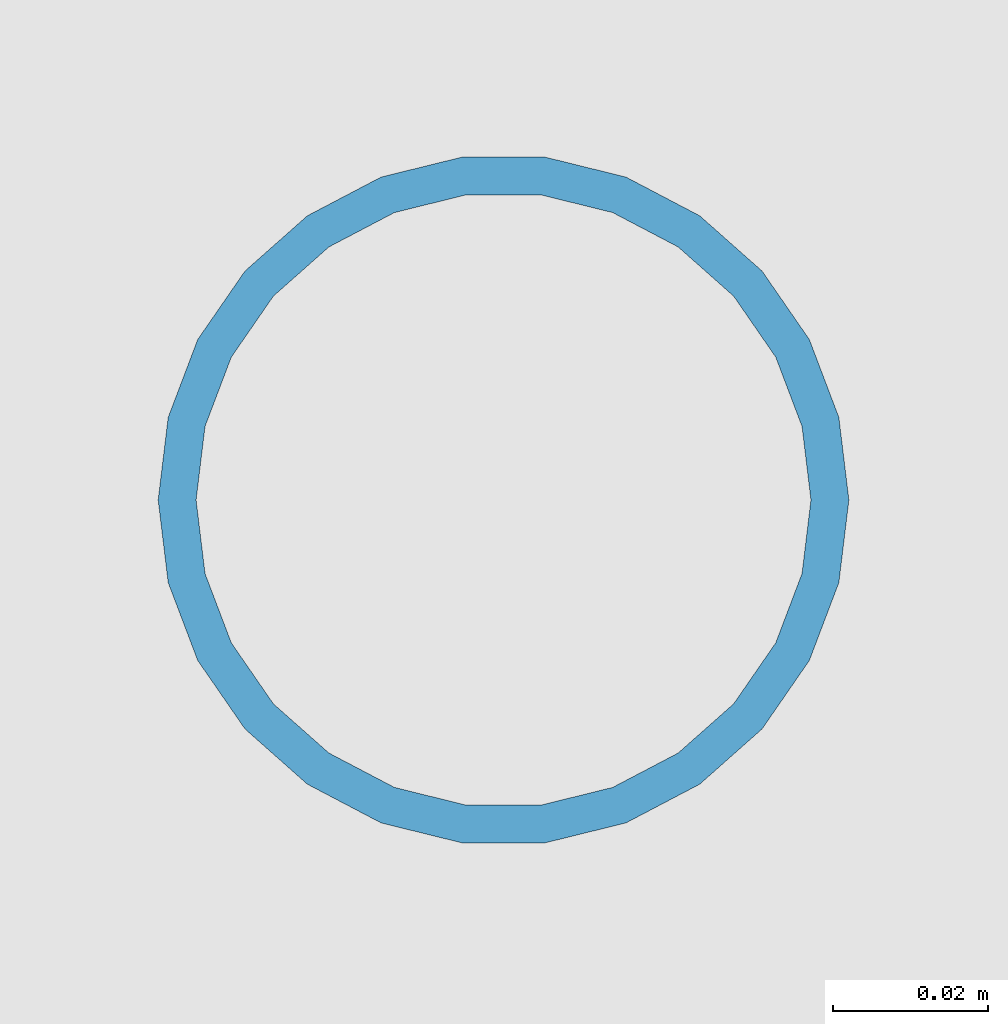
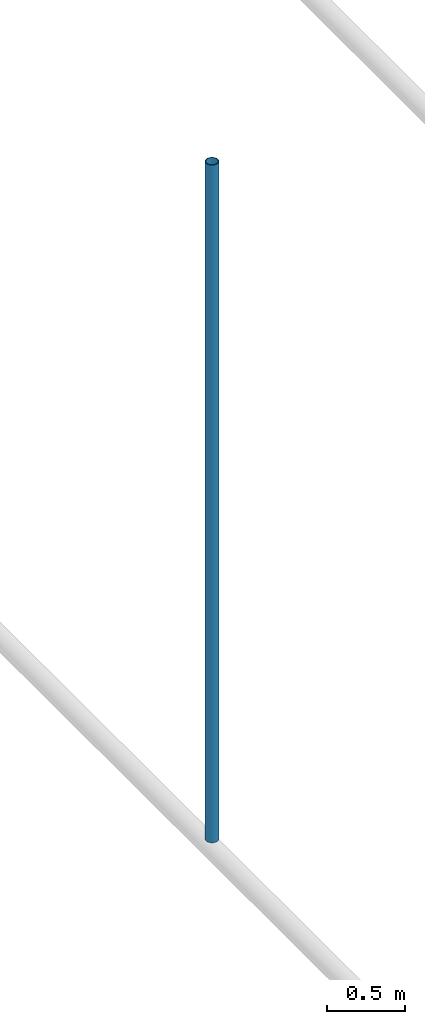
# One storey, part 24 of 102: 1 member.
"""IFC4 building model written with IfcOpenShell, lengths in metres."""

from ifc_helpers import new_model, si_unit, direction, frame, origin, origin_2d, place, context, subcontext, project, spatial, hollow_circle, extrude, material, material_profile, profile_set, type_object, element, save


model = new_model("IFC4")

# Units and contexts
model_context = context("Model", 3, precision=1e-05, world=origin(), true_north=direction((0.0, 1.0)))
body_context = subcontext(model_context, "Body", "Model", "MODEL_VIEW")
ifc_project = project(units=[si_unit("LENGTHUNIT", "METRE"), si_unit("AREAUNIT", "SQUARE_METRE"), si_unit("VOLUMEUNIT", "CUBIC_METRE"), si_unit("PLANEANGLEUNIT", "RADIAN"), si_unit("MASSUNIT", "GRAM", prefix="KILO")], contexts=[model_context])

# Site, building, storey
site_placement = place(None, origin())
site = spatial("IfcSite", under=ifc_project, at=site_placement, CompositionType="ELEMENT")
building_placement = place(site_placement, origin())
building = spatial("IfcBuilding", under=site, at=building_placement, Name="Lantern Court Research Institute", CompositionType="ELEMENT")
storey_placement = place(building_placement, frame((0.0, 0.0, 9.89990234375)))
storey = spatial("IfcBuildingStorey", under=building, at=storey_placement, Name="L02", CompositionType="ELEMENT", Elevation=9.89990234375)

# Member
ifc_material = material(Name="Structural steel S355", Category="steel")
ifc_material_profile = material_profile(ifc_material, hollow_circle(Radius=0.04443359375, WallThickness=0.0048828125, at=origin_2d()), Name="Gridshell hanger CHS 88.9 x 5")
ifc_profile_set = profile_set([ifc_material_profile], Name="Structural steel S355")
member_type = type_object("IfcMemberType", Name="Gridshell hanger CHS 88.9 x 5", PredefinedType="STRUT", material=ifc_profile_set)
member_placement = place(storey_placement, frame((63.360107421875, 66.0, 0.389892578125), z_axis=(0.0, 0.0, 1.0), x_axis=(1.0, 0.0, 0.0)))
element("IfcMember", 1, at=member_placement, inside=storey, type_object=member_type, Name="Theatre hanger", PredefinedType="STRUT", context=body_context, shape_type="SweptSolid", body=[
    extrude(hollow_circle(Radius=0.04443359375, WallThickness=0.0048828125, at=origin_2d()), origin(), (0.0, 0.0, 1.0), 5.270263671875),
])

save(model, "model.ifc")
